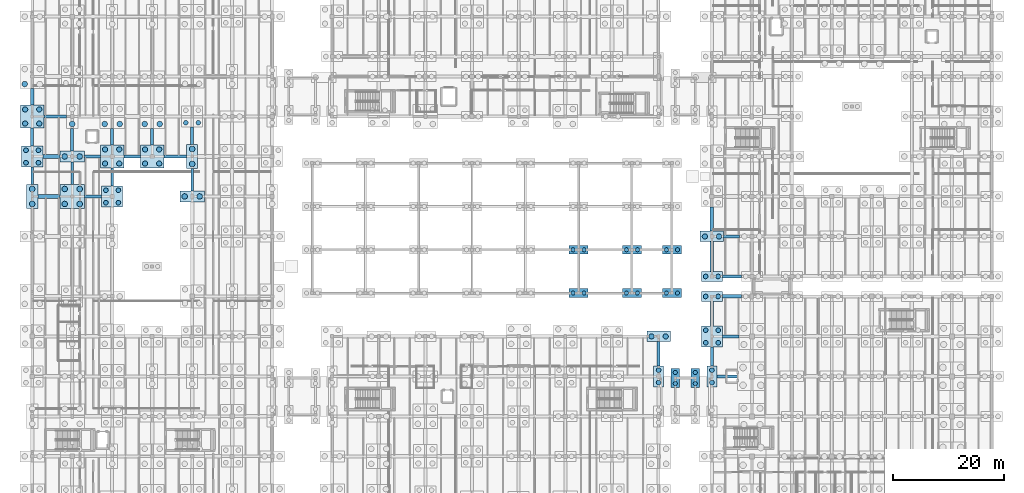
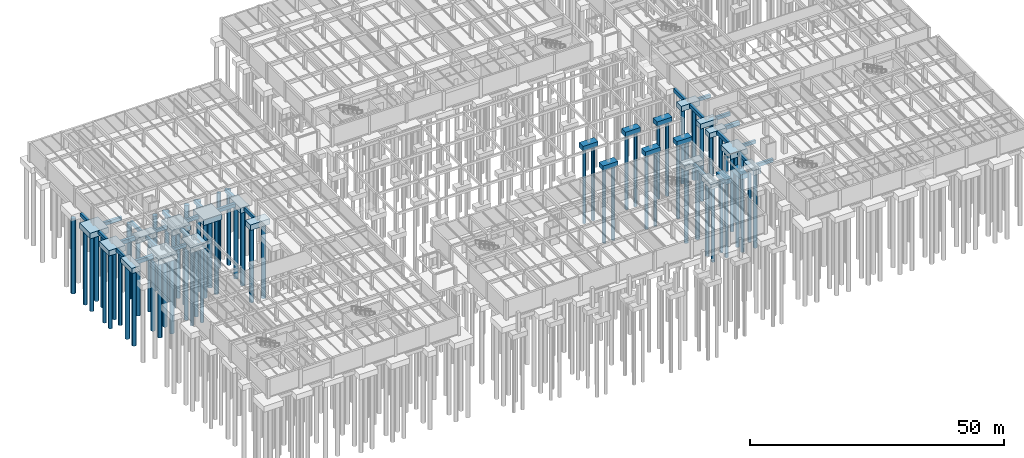
# One storey, part 6 of 63: 72 piles, 52 footings.
"""IFC4 building model written with IfcOpenShell, lengths in metres."""

from ifc_helpers import new_model, si_unit, direction, frame, origin, origin_2d, place, context, subcontext, project, spatial, rectangle, circle, extrude, material, material_profile, profile_set, type_object, element, save


model = new_model("IFC4")

# Units and contexts
model_context = context("Model", 3, precision=1e-05, world=origin(), true_north=direction((0.0, 1.0)))
body_context = subcontext(model_context, "Body", "Model", "MODEL_VIEW")
ifc_project = project(units=[si_unit("LENGTHUNIT", "METRE"), si_unit("AREAUNIT", "SQUARE_METRE"), si_unit("VOLUMEUNIT", "CUBIC_METRE"), si_unit("PLANEANGLEUNIT", "RADIAN"), si_unit("MASSUNIT", "GRAM", prefix="KILO")], contexts=[model_context])

# Site, building, storey
site_placement = place(None, origin())
site = spatial("IfcSite", under=ifc_project, at=site_placement, CompositionType="ELEMENT")
building_placement = place(site_placement, origin())
building = spatial("IfcBuilding", under=site, at=building_placement, Name="Mazaris Harbour Polytechnic", CompositionType="ELEMENT")
storey_placement = place(building_placement, frame((0.0, 0.0, -4.5)))
storey = spatial("IfcBuildingStorey", under=building, at=storey_placement, Name="B1", CompositionType="ELEMENT", Elevation=-4.5)

# Piles
ifc_material_1 = material(Name="Concrete C35/45", Category="concrete")
ifc_material_profile_1 = material_profile(ifc_material_1, circle(Radius=0.5, at=origin_2d()), Name="DIA1000")
ifc_profile_set_1 = profile_set([ifc_material_profile_1], Name="Concrete C35/45")
pile_type_1 = type_object("IfcPileType", Name="Bored Pile 1000", PredefinedType="BORED", material=ifc_profile_set_1)
for number, where, z_axis, x_axis, name in (
    (1, (0.0, 59.85009765625, -1.6201171875), (0.0, 0.0, -1.0), (1.0, 0.0, 0.0), "Bored Pile BP-159-1"),
    (2, (0.0, 62.550048828125, -1.6201171875), (0.0, 0.0, -1.0), (1.0, 0.0, 0.0), "Bored Pile BP-159-2"),
    (3, (-1.35009765625, 81.449951171875, -1.719970703125), (0.0, 0.0, -1.0), (1.0, 0.0, 0.0), "Bored Pile BP-162-1"),
    (4, (5.85009765625, 59.85009765625, -1.719970703125), (0.0, 0.0, -1.0), (1.0, 0.0, 0.0), "Bored Pile BP-172-1"),
    (5, (8.550048828125, 59.85009765625, -1.719970703125), (0.0, 0.0, -1.0), (1.0, 0.0, 0.0), "Bored Pile BP-172-2"),
    (6, (5.85009765625, 62.550048828125, -1.719970703125), (0.0, 0.0, -1.0), (1.0, 0.0, 0.0), "Bored Pile BP-172-3"),
    (7, (8.550048828125, 62.550048828125, -1.719970703125), (0.0, 0.0, -1.0), (1.0, 0.0, 0.0), "Bored Pile BP-172-4"),
    (8, (5.85009765625, 68.39990234375, -1.6201171875), (0.0, 0.0, -1.0), (1.0, 0.0, 0.0), "Bored Pile BP-173-1"),
    (9, (8.550048828125, 68.39990234375, -1.6201171875), (0.0, 0.0, -1.0), (1.0, 0.0, 0.0), "Bored Pile BP-173-2"),
    (10, (7.199951171875, 74.25, -1.6201171875), (0.0, 0.0, -1.0), (1.0, 0.0, 0.0), "Bored Pile BP-174-1"),
    (11, (13.050048828125, 74.25, -1.719970703125), (0.0, 0.0, -1.0), (1.0, 0.0, 0.0), "Bored Pile BP-187-1"),
    (12, (15.75, 74.25, -1.719970703125), (0.0, 0.0, -1.0), (1.0, 0.0, 0.0), "Bored Pile BP-187-2"),
    (13, (20.25, 74.25, -1.719970703125), (0.0, 0.0, -1.0), (1.0, 0.0, 0.0), "Bored Pile BP-197-1"),
    (14, (22.949951171875, 74.25, -1.719970703125), (0.0, 0.0, -1.0), (1.0, 0.0, 0.0), "Bored Pile BP-197-2"),
    (15, (27.449951171875, 61.199951171875, -1.6201171875), (0.0, 0.0, -1.0), (1.0, 0.0, 0.0), "Bored Pile BP-208-1"),
    (16, (30.14990234375, 61.199951171875, -1.6201171875), (0.0, 0.0, -1.0), (1.0, 0.0, 0.0), "Bored Pile BP-208-2"),
    (17, (28.800048828125, 67.050048828125, -1.6201171875), (0.0, 0.0, -1.0), (1.0, 0.0, 0.0), "Bored Pile BP-209-1"),
    (18, (28.800048828125, 69.75, -1.6201171875), (0.0, 0.0, -1.0), (1.0, 0.0, 0.0), "Bored Pile BP-209-2"),
):
    element("IfcPile", number, at=place(storey_placement, frame(where, z_axis=z_axis, x_axis=x_axis)), inside=storey, type_object=pile_type_1, Name=name, PredefinedType="BORED", context=body_context, shape_type="SweptSolid", body=[
        extrude(circle(Radius=0.5, at=origin_2d()), origin(), (0.0, 0.0, 1.0), 18.0),
    ])
ifc_material_2 = material(Name="Concrete C35/45", Category="concrete")
ifc_material_profile_2 = material_profile(ifc_material_2, circle(Radius=0.375, at=origin_2d()), Name="DIA750")
ifc_profile_set_2 = profile_set([ifc_material_profile_2], Name="Concrete C35/45")
pile_type_2 = type_object("IfcPileType", Name="Bored Pile 750", PredefinedType="BORED", material=ifc_profile_set_2)
for number, where, z_axis, x_axis, name in (
    (19, (115.800048828125, 27.506103515625, -1.429931640625), (0.0, 0.0, -1.0), (1.0, 0.0, 0.0), "Bored Pile BP-322-1"),
    (20, (115.800048828125, 29.493896484375, -1.429931640625), (0.0, 0.0, -1.0), (1.0, 0.0, 0.0), "Bored Pile BP-322-2"),
    (21, (119.39990234375, 27.506103515625, -1.429931640625), (0.0, 0.0, -1.0), (1.0, 0.0, 0.0), "Bored Pile BP-324-1"),
    (22, (119.39990234375, 29.493896484375, -1.429931640625), (0.0, 0.0, -1.0), (1.0, 0.0, 0.0), "Bored Pile BP-324-2"),
    (23, (97.40625, 43.800048828125, -1.429931640625), (0.0, 0.0, -1.0), (1.0, 0.0, 0.0), "Bored Pile BP-360-1"),
    (24, (99.393798828125, 43.800048828125, -1.429931640625), (0.0, 0.0, -1.0), (1.0, 0.0, 0.0), "Bored Pile BP-360-2"),
    (25, (97.40625, 51.60009765625, -1.429931640625), (0.0, 0.0, -1.0), (1.0, 0.0, 0.0), "Bored Pile BP-361-1"),
    (26, (99.393798828125, 51.60009765625, -1.429931640625), (0.0, 0.0, -1.0), (1.0, 0.0, 0.0), "Bored Pile BP-361-2"),
    (27, (107.006103515625, 43.800048828125, -1.429931640625), (0.0, 0.0, -1.0), (1.0, 0.0, 0.0), "Bored Pile BP-364-1"),
    (28, (108.993896484375, 43.800048828125, -1.429931640625), (0.0, 0.0, -1.0), (1.0, 0.0, 0.0), "Bored Pile BP-364-2"),
    (29, (107.006103515625, 51.60009765625, -1.429931640625), (0.0, 0.0, -1.0), (1.0, 0.0, 0.0), "Bored Pile BP-365-1"),
    (30, (108.993896484375, 51.60009765625, -1.429931640625), (0.0, 0.0, -1.0), (1.0, 0.0, 0.0), "Bored Pile BP-365-2"),
    (31, (114.206298828125, 43.800048828125, -1.429931640625), (0.0, 0.0, -1.0), (1.0, 0.0, 0.0), "Bored Pile BP-368-1"),
    (32, (116.19384765625, 43.800048828125, -1.429931640625), (0.0, 0.0, -1.0), (1.0, 0.0, 0.0), "Bored Pile BP-368-2"),
    (33, (114.206298828125, 51.60009765625, -1.429931640625), (0.0, 0.0, -1.0), (1.0, 0.0, 0.0), "Bored Pile BP-369-1"),
    (34, (116.19384765625, 51.60009765625, -1.429931640625), (0.0, 0.0, -1.0), (1.0, 0.0, 0.0), "Bored Pile BP-369-2"),
):
    element("IfcPile", number, at=place(storey_placement, frame(where, z_axis=z_axis, x_axis=x_axis)), inside=storey, type_object=pile_type_2, Name=name, PredefinedType="BORED", context=body_context, shape_type="SweptSolid", body=[
        extrude(circle(Radius=0.375, at=origin_2d()), origin(), (0.0, 0.0, 1.0), 18.0),
    ])
ifc_material_3 = material(Name="Concrete C35/45", Category="concrete")
ifc_material_profile_3 = material_profile(ifc_material_3, circle(Radius=0.425048828125, at=origin_2d()), Name="DIA850")
ifc_profile_set_3 = profile_set([ifc_material_profile_3], Name="Concrete C35/45")
pile_type_3 = type_object("IfcPileType", Name="Bored Pile 850", PredefinedType="BORED", material=ifc_profile_set_3)
for number, where, z_axis, x_axis, name in (
    (35, (122.39990234375, 27.673828125, -1.52001953125), (0.0, 0.0, -1.0), (1.0, 0.0, 0.0), "Bored Pile BP-067-1"),
    (36, (122.39990234375, 29.92626953125, -1.52001953125), (0.0, 0.0, -1.0), (1.0, 0.0, 0.0), "Bored Pile BP-067-2"),
    (37, (121.273681640625, 34.873779296875, -1.6201171875), (0.0, 0.0, -1.0), (1.0, 0.0, 0.0), "Bored Pile BP-068-1"),
    (38, (123.526123046875, 34.873779296875, -1.6201171875), (0.0, 0.0, -1.0), (1.0, 0.0, 0.0), "Bored Pile BP-068-2"),
    (39, (121.273681640625, 37.126220703125, -1.6201171875), (0.0, 0.0, -1.0), (1.0, 0.0, 0.0), "Bored Pile BP-068-3"),
    (40, (123.526123046875, 37.126220703125, -1.6201171875), (0.0, 0.0, -1.0), (1.0, 0.0, 0.0), "Bored Pile BP-068-4"),
    (41, (121.273681640625, 43.199951171875, -1.52001953125), (0.0, 0.0, -1.0), (1.0, 0.0, 0.0), "Bored Pile BP-069-1"),
    (42, (123.526123046875, 43.199951171875, -1.52001953125), (0.0, 0.0, -1.0), (1.0, 0.0, 0.0), "Bored Pile BP-069-2"),
    (43, (112.800048828125, 27.673828125, -1.52001953125), (0.0, 0.0, -1.0), (1.0, 0.0, 0.0), "Bored Pile BP-150-1"),
    (44, (112.800048828125, 29.92626953125, -1.52001953125), (0.0, 0.0, -1.0), (1.0, 0.0, 0.0), "Bored Pile BP-150-2"),
    (45, (-1.126220703125, 67.273681640625, -1.6201171875), (0.0, 0.0, -1.0), (1.0, 0.0, 0.0), "Bored Pile BP-160-1"),
    (46, (1.126220703125, 67.273681640625, -1.6201171875), (0.0, 0.0, -1.0), (1.0, 0.0, 0.0), "Bored Pile BP-160-2"),
    (47, (-1.126220703125, 69.526123046875, -1.6201171875), (0.0, 0.0, -1.0), (1.0, 0.0, 0.0), "Bored Pile BP-160-3"),
    (48, (1.126220703125, 69.526123046875, -1.6201171875), (0.0, 0.0, -1.0), (1.0, 0.0, 0.0), "Bored Pile BP-160-4"),
    (49, (13.273681640625, 60.07373046875, -1.6201171875), (0.0, 0.0, -1.0), (1.0, 0.0, 0.0), "Bored Pile BP-185-1"),
    (50, (15.526123046875, 60.07373046875, -1.6201171875), (0.0, 0.0, -1.0), (1.0, 0.0, 0.0), "Bored Pile BP-185-2"),
    (51, (13.273681640625, 62.326171875, -1.6201171875), (0.0, 0.0, -1.0), (1.0, 0.0, 0.0), "Bored Pile BP-185-3"),
    (52, (15.526123046875, 62.326171875, -1.6201171875), (0.0, 0.0, -1.0), (1.0, 0.0, 0.0), "Bored Pile BP-185-4"),
    (53, (27.673828125, 74.473876953125, -1.6201171875), (0.0, 0.0, -1.0), (1.0, 0.0, 0.0), "Bored Pile BP-210-1"),
    (54, (29.92626953125, 74.473876953125, -1.6201171875), (0.0, 0.0, -1.0), (1.0, 0.0, 0.0), "Bored Pile BP-210-2"),
    (55, (121.273681640625, 46.800048828125, -1.52001953125), (0.0, 0.0, -1.0), (1.0, 0.0, 0.0), "Bored Pile BP-240-1"),
    (56, (123.526123046875, 46.800048828125, -1.52001953125), (0.0, 0.0, -1.0), (1.0, 0.0, 0.0), "Bored Pile BP-240-2"),
):
    element("IfcPile", number, at=place(storey_placement, frame(where, z_axis=z_axis, x_axis=x_axis)), inside=storey, type_object=pile_type_3, Name=name, PredefinedType="BORED", context=body_context, shape_type="SweptSolid", body=[
        extrude(circle(Radius=0.425048828125, at=origin_2d()), origin(), (0.0, 0.0, 1.0), 18.0),
    ])
ifc_material_4 = material(Name="Concrete C35/45", Category="concrete")
ifc_material_profile_4 = material_profile(ifc_material_4, circle(Radius=0.47509765625, at=origin_2d()), Name="DIA950")
ifc_profile_set_4 = profile_set([ifc_material_profile_4], Name="Concrete C35/45")
pile_type_4 = type_object("IfcPileType", Name="Bored Pile 950", PredefinedType="BORED", material=ifc_profile_set_4)
for number, where, z_axis, x_axis, name in (
    (57, (111.52490234375, 36.0, -1.570068359375), (0.0, 0.0, -1.0), (1.0, 0.0, 0.0), "Bored Pile BP-151-1"),
    (58, (114.074951171875, 36.0, -1.570068359375), (0.0, 0.0, -1.0), (1.0, 0.0, 0.0), "Bored Pile BP-151-2"),
    (59, (-1.27490234375, 74.324951171875, -1.669921875), (0.0, 0.0, -1.0), (1.0, 0.0, 0.0), "Bored Pile BP-161-1"),
    (60, (1.27490234375, 74.324951171875, -1.669921875), (0.0, 0.0, -1.0), (1.0, 0.0, 0.0), "Bored Pile BP-161-2"),
    (61, (-1.27490234375, 76.875, -1.669921875), (0.0, 0.0, -1.0), (1.0, 0.0, 0.0), "Bored Pile BP-161-3"),
    (62, (1.27490234375, 76.875, -1.669921875), (0.0, 0.0, -1.0), (1.0, 0.0, 0.0), "Bored Pile BP-161-4"),
    (63, (13.125, 67.125, -1.669921875), (0.0, 0.0, -1.0), (1.0, 0.0, 0.0), "Bored Pile BP-186-1"),
    (64, (15.675048828125, 67.125, -1.669921875), (0.0, 0.0, -1.0), (1.0, 0.0, 0.0), "Bored Pile BP-186-2"),
    (65, (13.125, 69.675048828125, -1.669921875), (0.0, 0.0, -1.0), (1.0, 0.0, 0.0), "Bored Pile BP-186-3"),
    (66, (15.675048828125, 69.675048828125, -1.669921875), (0.0, 0.0, -1.0), (1.0, 0.0, 0.0), "Bored Pile BP-186-4"),
    (67, (20.324951171875, 67.125, -1.669921875), (0.0, 0.0, -1.0), (1.0, 0.0, 0.0), "Bored Pile BP-196-1"),
    (68, (22.875, 67.125, -1.669921875), (0.0, 0.0, -1.0), (1.0, 0.0, 0.0), "Bored Pile BP-196-2"),
    (69, (20.324951171875, 69.675048828125, -1.669921875), (0.0, 0.0, -1.0), (1.0, 0.0, 0.0), "Bored Pile BP-196-3"),
    (70, (22.875, 69.675048828125, -1.669921875), (0.0, 0.0, -1.0), (1.0, 0.0, 0.0), "Bored Pile BP-196-4"),
    (71, (121.125, 54.0, -1.570068359375), (0.0, 0.0, -1.0), (1.0, 0.0, 0.0), "Bored Pile BP-241-1"),
    (72, (123.675048828125, 54.0, -1.570068359375), (0.0, 0.0, -1.0), (1.0, 0.0, 0.0), "Bored Pile BP-241-2"),
):
    element("IfcPile", number, at=place(storey_placement, frame(where, z_axis=z_axis, x_axis=x_axis)), inside=storey, type_object=pile_type_4, Name=name, PredefinedType="BORED", context=body_context, shape_type="SweptSolid", body=[
        extrude(circle(Radius=0.47509765625, at=origin_2d()), origin(), (0.0, 0.0, 1.0), 18.0),
    ])

# Footings
ifc_material_5 = material(Name="Concrete C35/45", Category="concrete")
footing_type_1 = type_object("IfcFootingType", Name="Pile Cap 1600x3400x1150", PredefinedType="PILE_CAP", material=ifc_material_5)
for number, where, z_axis, x_axis, name in (
    (73, (115.800048828125, 28.5, -1.530029296875), (0.0, 0.0, 1.0), (1.0, 0.0, 0.0), "Pile Cap CAP-322"),
    (74, (119.39990234375, 28.5, -1.530029296875), (0.0, 0.0, 1.0), (1.0, 0.0, 0.0), "Pile Cap CAP-324"),
):
    element("IfcFooting", number, at=place(storey_placement, frame(where, z_axis=z_axis, x_axis=x_axis)), inside=storey, type_object=footing_type_1, Name=name, PredefinedType="PILE_CAP", context=body_context, shape_type="SweptSolid", body=[
        extrude(rectangle(XDim=1.60009765625, YDim=3.39990234375, at=origin_2d()), origin(), (0.0, 0.0, 1.0), 1.14990234375),
    ])
ifc_material_6 = material(Name="Concrete C35/45", Category="concrete")
footing_type_2 = type_object("IfcFootingType", Name="Pile Cap 1800x3800x1200", PredefinedType="PILE_CAP", material=ifc_material_6)
for number, where, z_axis, x_axis, name in (
    (75, (122.39990234375, 28.800048828125, -1.6201171875), (0.0, 0.0, 1.0), (1.0, 0.0, 0.0), "Pile Cap CAP-067"),
    (76, (112.800048828125, 28.800048828125, -1.6201171875), (0.0, 0.0, 1.0), (1.0, 0.0, 0.0), "Pile Cap CAP-150"),
):
    element("IfcFooting", number, at=place(storey_placement, frame(where, z_axis=z_axis, x_axis=x_axis)), inside=storey, type_object=footing_type_2, Name=name, PredefinedType="PILE_CAP", context=body_context, shape_type="SweptSolid", body=[
        extrude(rectangle(XDim=1.800048828125, YDim=3.800048828125, at=origin_2d()), origin(), (0.0, 0.0, 1.0), 1.199951171875),
    ])
ifc_material_7 = material(Name="Concrete C35/45", Category="concrete")
footing_type_3 = type_object("IfcFootingType", Name="Pile Cap 2000x4400x1300", PredefinedType="PILE_CAP", material=ifc_material_7)
for number, where, z_axis, x_axis, name in (
    (77, (0.0, 61.199951171875, -1.72021484375), (0.0, 0.0, 1.0), (1.0, 0.0, 0.0), "Pile Cap CAP-159"),
    (78, (28.800048828125, 68.39990234375, -1.72021484375), (0.0, 0.0, 1.0), (1.0, 0.0, 0.0), "Pile Cap CAP-209"),
):
    element("IfcFooting", number, at=place(storey_placement, frame(where, z_axis=z_axis, x_axis=x_axis)), inside=storey, type_object=footing_type_3, Name=name, PredefinedType="PILE_CAP", context=body_context, shape_type="SweptSolid", body=[
        extrude(rectangle(XDim=2.0, YDim=4.39990234375, at=origin_2d()), origin(), (0.0, 0.0, 1.0), 1.300048828125),
    ])
ifc_material_8 = material(Name="Concrete C35/45", Category="concrete")
footing_type_4 = type_object("IfcFootingType", Name="Pile Cap 3400x1600x1150", PredefinedType="PILE_CAP", material=ifc_material_8)
for number, where, z_axis, x_axis, name in (
    (79, (98.39990234375, 43.800048828125, -1.530029296875), (0.0, 0.0, 1.0), (1.0, 0.0, 0.0), "Pile Cap CAP-360"),
    (80, (98.39990234375, 51.60009765625, -1.530029296875), (0.0, 0.0, 1.0), (1.0, 0.0, 0.0), "Pile Cap CAP-361"),
    (81, (108.0, 43.800048828125, -1.530029296875), (0.0, 0.0, 1.0), (1.0, 0.0, 0.0), "Pile Cap CAP-364"),
    (82, (108.0, 51.60009765625, -1.530029296875), (0.0, 0.0, 1.0), (1.0, 0.0, 0.0), "Pile Cap CAP-365"),
    (83, (115.199951171875, 43.800048828125, -1.530029296875), (0.0, 0.0, 1.0), (1.0, 0.0, 0.0), "Pile Cap CAP-368"),
    (84, (115.199951171875, 51.60009765625, -1.530029296875), (0.0, 0.0, 1.0), (1.0, 0.0, 0.0), "Pile Cap CAP-369"),
):
    element("IfcFooting", number, at=place(storey_placement, frame(where, z_axis=z_axis, x_axis=x_axis)), inside=storey, type_object=footing_type_4, Name=name, PredefinedType="PILE_CAP", context=body_context, shape_type="SweptSolid", body=[
        extrude(rectangle(XDim=3.39990234375, YDim=1.60009765625, at=origin_2d()), origin(), (0.0, 0.0, 1.0), 1.14990234375),
    ])
ifc_material_9 = material(Name="Concrete C35/45", Category="concrete")
footing_type_5 = type_object("IfcFootingType", Name="Pile Cap 3800x1800x1200", PredefinedType="PILE_CAP", material=ifc_material_9)
for number, where, z_axis, x_axis, name in (
    (85, (122.39990234375, 43.199951171875, -1.6201171875), (0.0, 0.0, 1.0), (1.0, 0.0, 0.0), "Pile Cap CAP-069"),
    (86, (122.39990234375, 46.800048828125, -1.6201171875), (0.0, 0.0, 1.0), (1.0, 0.0, 0.0), "Pile Cap CAP-240"),
):
    element("IfcFooting", number, at=place(storey_placement, frame(where, z_axis=z_axis, x_axis=x_axis)), inside=storey, type_object=footing_type_5, Name=name, PredefinedType="PILE_CAP", context=body_context, shape_type="SweptSolid", body=[
        extrude(rectangle(XDim=3.800048828125, YDim=1.800048828125, at=origin_2d()), origin(), (0.0, 0.0, 1.0), 1.199951171875),
    ])
ifc_material_10 = material(Name="Concrete C35/45", Category="concrete")
footing_type_6 = type_object("IfcFootingType", Name="Pile Cap 3800x3800x1300", PredefinedType="PILE_CAP", material=ifc_material_10)
for number, where, z_axis, x_axis, name in (
    (87, (122.39990234375, 36.0, -1.72021484375), (0.0, 0.0, 1.0), (1.0, 0.0, 0.0), "Pile Cap CAP-068"),
    (88, (0.0, 68.39990234375, -1.72021484375), (0.0, 0.0, 1.0), (1.0, 0.0, 0.0), "Pile Cap CAP-160"),
    (89, (14.39990234375, 61.199951171875, -1.72021484375), (0.0, 0.0, 1.0), (1.0, 0.0, 0.0), "Pile Cap CAP-185"),
):
    element("IfcFooting", number, at=place(storey_placement, frame(where, z_axis=z_axis, x_axis=x_axis)), inside=storey, type_object=footing_type_6, Name=name, PredefinedType="PILE_CAP", context=body_context, shape_type="SweptSolid", body=[
        extrude(rectangle(XDim=3.800048828125, YDim=3.800048828125, at=origin_2d()), origin(), (0.0, 0.0, 1.0), 1.300048828125),
    ])
ifc_material_11 = material(Name="Concrete C35/45", Category="concrete")
footing_type_7 = type_object("IfcFootingType", Name="Pile Cap 4200x1900x1250", PredefinedType="PILE_CAP", material=ifc_material_11)
for number, where, z_axis, x_axis, name in (
    (90, (112.800048828125, 36.0, -1.669921875), (0.0, 0.0, 1.0), (1.0, 0.0, 0.0), "Pile Cap CAP-151"),
    (91, (122.39990234375, 54.0, -1.669921875), (0.0, 0.0, 1.0), (1.0, 0.0, 0.0), "Pile Cap CAP-241"),
):
    element("IfcFooting", number, at=place(storey_placement, frame(where, z_axis=z_axis, x_axis=x_axis)), inside=storey, type_object=footing_type_7, Name=name, PredefinedType="PILE_CAP", context=body_context, shape_type="SweptSolid", body=[
        extrude(rectangle(XDim=4.199951171875, YDim=1.89990234375, at=origin_2d()), origin(), (0.0, 0.0, 1.0), 1.25),
    ])
ifc_material_12 = material(Name="Concrete C35/45", Category="concrete")
footing_type_8 = type_object("IfcFootingType", Name="Pile Cap 4200x4200x1350", PredefinedType="PILE_CAP", material=ifc_material_12)
for number, where, z_axis, x_axis, name in (
    (92, (0.0, 75.60009765625, -1.77001953125), (0.0, 0.0, 1.0), (1.0, 0.0, 0.0), "Pile Cap CAP-161"),
    (93, (14.39990234375, 68.39990234375, -1.77001953125), (0.0, 0.0, 1.0), (1.0, 0.0, 0.0), "Pile Cap CAP-186"),
    (94, (21.60009765625, 68.39990234375, -1.77001953125), (0.0, 0.0, 1.0), (1.0, 0.0, 0.0), "Pile Cap CAP-196"),
):
    element("IfcFooting", number, at=place(storey_placement, frame(where, z_axis=z_axis, x_axis=x_axis)), inside=storey, type_object=footing_type_8, Name=name, PredefinedType="PILE_CAP", context=body_context, shape_type="SweptSolid", body=[
        extrude(rectangle(XDim=4.199951171875, YDim=4.199951171875, at=origin_2d()), origin(), (0.0, 0.0, 1.0), 1.35009765625),
    ])
ifc_material_13 = material(Name="Concrete C35/45", Category="concrete")
footing_type_9 = type_object("IfcFootingType", Name="Pile Cap 4400x2000x1300", PredefinedType="PILE_CAP", material=ifc_material_13)
for number, where, z_axis, x_axis, name in (
    (95, (7.199951171875, 68.39990234375, -1.72021484375), (0.0, 0.0, 1.0), (1.0, 0.0, 0.0), "Pile Cap CAP-173"),
    (96, (28.800048828125, 61.199951171875, -1.72021484375), (0.0, 0.0, 1.0), (1.0, 0.0, 0.0), "Pile Cap CAP-208"),
):
    element("IfcFooting", number, at=place(storey_placement, frame(where, z_axis=z_axis, x_axis=x_axis)), inside=storey, type_object=footing_type_9, Name=name, PredefinedType="PILE_CAP", context=body_context, shape_type="SweptSolid", body=[
        extrude(rectangle(XDim=4.39990234375, YDim=2.0, at=origin_2d()), origin(), (0.0, 0.0, 1.0), 1.300048828125),
    ])
ifc_material_14 = material(Name="Concrete C35/45", Category="concrete")
footing_type_10 = type_object("IfcFootingType", Name="Pile Cap 4400x4400x1400", PredefinedType="PILE_CAP", material=ifc_material_14)
footing_1_placement = place(storey_placement, frame((7.199951171875, 61.199951171875, -1.820068359375), z_axis=(0.0, 0.0, 1.0), x_axis=(1.0, 0.0, 0.0)))
element("IfcFooting", 97, at=footing_1_placement, inside=storey, type_object=footing_type_10, Name="Pile Cap CAP-172", PredefinedType="PILE_CAP", context=body_context, shape_type="SweptSolid", body=[
    extrude(rectangle(XDim=4.39990234375, YDim=4.39990234375, at=origin_2d()), origin(), (0.0, 0.0, 1.0), 1.39990234375),
])
ifc_material_15 = material(Name="Concrete C35/45", Category="concrete")
ifc_material_profile_5 = material_profile(ifc_material_15, rectangle(XDim=0.5, YDim=0.75, at=origin_2d()), Name="RECT500x750")
ifc_profile_set_5 = profile_set([ifc_material_profile_5], Name="Concrete C35/45")
footing_type_11 = type_object("IfcFootingType", Name="Seismic Tie Beam 500x750", PredefinedType="FOOTING_BEAM", material=ifc_profile_set_5)
footing_2_placement = place(storey_placement, frame((124.300048828125, 36.0, -0.8349609375), z_axis=(1.0, 0.0, 0.0), x_axis=(0.0, 1.0, 0.0)))
element("IfcFooting", 98, at=footing_2_placement, inside=storey, type_object=footing_type_11, Name="Seismic Tie Beam FTB-132", PredefinedType="FOOTING_BEAM", context=body_context, shape_type="SweptSolid", body=[
    extrude(rectangle(XDim=0.5, YDim=0.75, at=origin_2d()), origin(), (0.0, 0.0, 1.0), 2.949951171875),
])
footing_3_placement = place(storey_placement, frame((112.800048828125, 30.699951171875, -0.8349609375), z_axis=(0.0, 1.0, 0.0), x_axis=(-1.0, 0.0, 0.0)))
element("IfcFooting", 99, at=footing_3_placement, inside=storey, type_object=footing_type_11, Name="Seismic Tie Beam FTB-252", PredefinedType="FOOTING_BEAM", context=body_context, shape_type="SweptSolid", body=[
    extrude(rectangle(XDim=0.5, YDim=0.75, at=origin_2d()), origin(), (0.0, 0.0, 1.0), 4.35009765625),
])
footing_4_placement = place(storey_placement, frame((9.39990234375, 61.199951171875, -0.8349609375), z_axis=(1.0, 0.0, 0.0), x_axis=(0.0, 1.0, 0.0)))
element("IfcFooting", 100, at=footing_4_placement, inside=storey, type_object=footing_type_11, Name="Seismic Tie Beam FTB-292", PredefinedType="FOOTING_BEAM", context=body_context, shape_type="SweptSolid", body=[
    extrude(rectangle(XDim=0.5, YDim=0.75, at=origin_2d()), origin(), (0.0, 0.0, 1.0), 3.10009765625),
])
footing_5_placement = place(storey_placement, frame((9.39990234375, 68.39990234375, -0.8349609375), z_axis=(1.0, 0.0, 0.0), x_axis=(0.0, 1.0, 0.0)))
element("IfcFooting", 101, at=footing_5_placement, inside=storey, type_object=footing_type_11, Name="Seismic Tie Beam FTB-296", PredefinedType="FOOTING_BEAM", context=body_context, shape_type="SweptSolid", body=[
    extrude(rectangle(XDim=0.5, YDim=0.75, at=origin_2d()), origin(), (0.0, 0.0, 1.0), 2.900146484375),
])
footing_6_placement = place(storey_placement, frame((0.0, 63.39990234375, -0.8349609375), z_axis=(0.0, 1.0, 0.0), x_axis=(-1.0, 0.0, 0.0)))
element("IfcFooting", 102, at=footing_6_placement, inside=storey, type_object=footing_type_11, Name="Seismic Tie Beam FTB-332", PredefinedType="FOOTING_BEAM", context=body_context, shape_type="SweptSolid", body=[
    extrude(rectangle(XDim=0.5, YDim=0.75, at=origin_2d()), origin(), (0.0, 0.0, 1.0), 3.10009765625),
])
footing_7_placement = place(storey_placement, frame((7.199951171875, 63.39990234375, -0.8349609375), z_axis=(0.0, 1.0, 0.0), x_axis=(-1.0, 0.0, 0.0)))
element("IfcFooting", 103, at=footing_7_placement, inside=storey, type_object=footing_type_11, Name="Seismic Tie Beam FTB-344", PredefinedType="FOOTING_BEAM", context=body_context, shape_type="SweptSolid", body=[
    extrude(rectangle(XDim=0.5, YDim=0.75, at=origin_2d()), origin(), (0.0, 0.0, 1.0), 4.0),
])
footing_8_placement = place(storey_placement, frame((14.39990234375, 63.10009765625, -0.8349609375), z_axis=(0.0, 1.0, 0.0), x_axis=(-1.0, 0.0, 0.0)))
element("IfcFooting", 104, at=footing_8_placement, inside=storey, type_object=footing_type_11, Name="Seismic Tie Beam FTB-356", PredefinedType="FOOTING_BEAM", context=body_context, shape_type="SweptSolid", body=[
    extrude(rectangle(XDim=0.5, YDim=0.75, at=origin_2d()), origin(), (0.0, 0.0, 1.0), 3.199951171875),
])
footing_9_placement = place(storey_placement, frame((28.800048828125, 62.199951171875, -0.8349609375), z_axis=(0.0, 1.0, 0.0), x_axis=(-1.0, 0.0, 0.0)))
element("IfcFooting", 105, at=footing_9_placement, inside=storey, type_object=footing_type_11, Name="Seismic Tie Beam FTB-376", PredefinedType="FOOTING_BEAM", context=body_context, shape_type="SweptSolid", body=[
    extrude(rectangle(XDim=0.5, YDim=0.75, at=origin_2d()), origin(), (0.0, 0.0, 1.0), 4.0),
])
footing_10_placement = place(storey_placement, frame((124.5, 54.0, -0.8349609375), z_axis=(1.0, 0.0, 0.0), x_axis=(0.0, 1.0, 0.0)))
element("IfcFooting", 106, at=footing_10_placement, inside=storey, type_object=footing_type_11, Name="Seismic Tie Beam FTB-412", PredefinedType="FOOTING_BEAM", context=body_context, shape_type="SweptSolid", body=[
    extrude(rectangle(XDim=0.5, YDim=0.75, at=origin_2d()), origin(), (0.0, 0.0, 1.0), 2.89990234375),
])
ifc_material_16 = material(Name="Concrete C35/45", Category="concrete")
ifc_material_profile_6 = material_profile(ifc_material_16, rectangle(XDim=0.550048828125, YDim=0.800048828125, at=origin_2d()), Name="RECT550x800")
ifc_profile_set_6 = profile_set([ifc_material_profile_6], Name="Concrete C35/45")
footing_type_12 = type_object("IfcFootingType", Name="Seismic Tie Beam 550x800", PredefinedType="FOOTING_BEAM", material=ifc_profile_set_6)
footing_11_placement = place(storey_placement, frame((123.300048828125, 28.800048828125, -0.860107421875), z_axis=(1.0, 0.0, 0.0), x_axis=(0.0, 1.0, 0.0)))
element("IfcFooting", 107, at=footing_11_placement, inside=storey, type_object=footing_type_12, Name="Seismic Tie Beam FTB-125", PredefinedType="FOOTING_BEAM", context=body_context, shape_type="SweptSolid", body=[
    extrude(rectangle(XDim=0.550048828125, YDim=0.800048828125, at=origin_2d()), origin(), (0.0, 0.0, 1.0), 3.75),
])
footing_12_placement = place(storey_placement, frame((122.39990234375, 30.699951171875, -0.860107421875), z_axis=(0.0, 1.0, 0.0), x_axis=(-1.0, 0.0, 0.0)))
element("IfcFooting", 108, at=footing_12_placement, inside=storey, type_object=footing_type_12, Name="Seismic Tie Beam FTB-149", PredefinedType="FOOTING_BEAM", context=body_context, shape_type="SweptSolid", body=[
    extrude(rectangle(XDim=0.550048828125, YDim=0.800048828125, at=origin_2d()), origin(), (0.0, 0.0, 1.0), 3.400146484375),
])
footing_13_placement = place(storey_placement, frame((16.5, 68.39990234375, -0.860107421875), z_axis=(1.0, 0.0, 0.0), x_axis=(0.0, 1.0, 0.0)))
element("IfcFooting", 109, at=footing_13_placement, inside=storey, type_object=footing_type_12, Name="Seismic Tie Beam FTB-297", PredefinedType="FOOTING_BEAM", context=body_context, shape_type="SweptSolid", body=[
    extrude(rectangle(XDim=0.550048828125, YDim=0.800048828125, at=origin_2d()), origin(), (0.0, 0.0, 1.0), 3.0),
])
footing_14_placement = place(storey_placement, frame((2.10009765625, 75.60009765625, -0.860107421875), z_axis=(1.0, 0.0, 0.0), x_axis=(0.0, 1.0, 0.0)))
element("IfcFooting", 110, at=footing_14_placement, inside=storey, type_object=footing_type_12, Name="Seismic Tie Beam FTB-301", PredefinedType="FOOTING_BEAM", context=body_context, shape_type="SweptSolid", body=[
    extrude(rectangle(XDim=0.550048828125, YDim=0.800048828125, at=origin_2d()), origin(), (0.0, 0.0, 1.0), 4.099853515625),
])
footing_15_placement = place(storey_placement, frame((0.0, 70.300048828125, -0.860107421875), z_axis=(0.0, 1.0, 0.0), x_axis=(-1.0, 0.0, 0.0)))
element("IfcFooting", 111, at=footing_15_placement, inside=storey, type_object=footing_type_12, Name="Seismic Tie Beam FTB-333", PredefinedType="FOOTING_BEAM", context=body_context, shape_type="SweptSolid", body=[
    extrude(rectangle(XDim=0.550048828125, YDim=0.800048828125, at=origin_2d()), origin(), (0.0, 0.0, 1.0), 3.199951171875),
])
footing_16_placement = place(storey_placement, frame((7.199951171875, 69.39990234375, -0.860107421875), z_axis=(0.0, 1.0, 0.0), x_axis=(-1.0, 0.0, 0.0)))
element("IfcFooting", 112, at=footing_16_placement, inside=storey, type_object=footing_type_12, Name="Seismic Tie Beam FTB-345", PredefinedType="FOOTING_BEAM", context=body_context, shape_type="SweptSolid", body=[
    extrude(rectangle(XDim=0.550048828125, YDim=0.800048828125, at=origin_2d()), origin(), (0.0, 0.0, 1.0), 4.0),
])
for number, where, z_axis, x_axis, name in (
    (113, (14.39990234375, 70.5, -0.860107421875), (0.0, 1.0, 0.0), (-1.0, 0.0, 0.0), "Seismic Tie Beam FTB-357"),
    (114, (21.60009765625, 70.5, -0.860107421875), (0.0, 1.0, 0.0), (-1.0, 0.0, 0.0), "Seismic Tie Beam FTB-365"),
):
    element("IfcFooting", number, at=place(storey_placement, frame(where, z_axis=z_axis, x_axis=x_axis)), inside=storey, type_object=footing_type_12, Name=name, PredefinedType="FOOTING_BEAM", context=body_context, shape_type="SweptSolid", body=[
        extrude(rectangle(XDim=0.550048828125, YDim=0.800048828125, at=origin_2d()), origin(), (0.0, 0.0, 1.0), 2.89990234375),
    ])
footing_17_placement = place(storey_placement, frame((28.800048828125, 70.60009765625, -0.860107421875), z_axis=(0.0, 1.0, 0.0), x_axis=(-1.0, 0.0, 0.0)))
element("IfcFooting", 115, at=footing_17_placement, inside=storey, type_object=footing_type_12, Name="Seismic Tie Beam FTB-377", PredefinedType="FOOTING_BEAM", context=body_context, shape_type="SweptSolid", body=[
    extrude(rectangle(XDim=0.550048828125, YDim=0.800048828125, at=origin_2d()), origin(), (0.0, 0.0, 1.0), 3.099853515625),
])
footing_18_placement = place(storey_placement, frame((124.300048828125, 46.800048828125, -0.860107421875), z_axis=(1.0, 0.0, 0.0), x_axis=(0.0, 1.0, 0.0)))
element("IfcFooting", 116, at=footing_18_placement, inside=storey, type_object=footing_type_12, Name="Seismic Tie Beam FTB-405", PredefinedType="FOOTING_BEAM", context=body_context, shape_type="SweptSolid", body=[
    extrude(rectangle(XDim=0.550048828125, YDim=0.800048828125, at=origin_2d()), origin(), (0.0, 0.0, 1.0), 3.39990234375),
])
ifc_material_17 = material(Name="Concrete C35/45", Category="concrete")
ifc_material_profile_7 = material_profile(ifc_material_17, rectangle(XDim=0.60009765625, YDim=0.85009765625, at=origin_2d()), Name="RECT600x850")
ifc_profile_set_7 = profile_set([ifc_material_profile_7], Name="Concrete C35/45")
footing_type_13 = type_object("IfcFootingType", Name="Seismic Tie Beam 600x850", PredefinedType="FOOTING_BEAM", material=ifc_profile_set_7)
footing_19_placement = place(storey_placement, frame((122.39990234375, 37.89990234375, -0.885009765625), z_axis=(0.0, 1.0, 0.0), x_axis=(-1.0, 0.0, 0.0)))
element("IfcFooting", 117, at=footing_19_placement, inside=storey, type_object=footing_type_13, Name="Seismic Tie Beam FTB-150", PredefinedType="FOOTING_BEAM", context=body_context, shape_type="SweptSolid", body=[
    extrude(rectangle(XDim=0.60009765625, YDim=0.85009765625, at=origin_2d()), origin(), (0.0, 0.0, 1.0), 4.400146484375),
])
footing_20_placement = place(storey_placement, frame((23.699951171875, 68.39990234375, -0.885009765625), z_axis=(1.0, 0.0, 0.0), x_axis=(0.0, 1.0, 0.0)))
element("IfcFooting", 118, at=footing_20_placement, inside=storey, type_object=footing_type_13, Name="Seismic Tie Beam FTB-298", PredefinedType="FOOTING_BEAM", context=body_context, shape_type="SweptSolid", body=[
    extrude(rectangle(XDim=0.60009765625, YDim=0.85009765625, at=origin_2d()), origin(), (0.0, 0.0, 1.0), 4.10009765625),
])
footing_21_placement = place(storey_placement, frame((0.0, 77.699951171875, -0.885009765625), z_axis=(0.0, 1.0, 0.0), x_axis=(-1.0, 0.0, 0.0)))
element("IfcFooting", 119, at=footing_21_placement, inside=storey, type_object=footing_type_13, Name="Seismic Tie Beam FTB-334", PredefinedType="FOOTING_BEAM", context=body_context, shape_type="SweptSolid", body=[
    extrude(rectangle(XDim=0.60009765625, YDim=0.85009765625, at=origin_2d()), origin(), (0.0, 0.0, 1.0), 2.900146484375),
])
footing_22_placement = place(storey_placement, frame((122.39990234375, 47.699951171875, -0.885009765625), z_axis=(0.0, 1.0, 0.0), x_axis=(-1.0, 0.0, 0.0)))
element("IfcFooting", 120, at=footing_22_placement, inside=storey, type_object=footing_type_13, Name="Seismic Tie Beam FTB-466", PredefinedType="FOOTING_BEAM", context=body_context, shape_type="SweptSolid", body=[
    extrude(rectangle(XDim=0.60009765625, YDim=0.85009765625, at=origin_2d()), origin(), (0.0, 0.0, 1.0), 5.35009765625),
])
ifc_material_18 = material(Name="Concrete C35/45", Category="concrete")
ifc_material_profile_8 = material_profile(ifc_material_18, rectangle(XDim=0.64990234375, YDim=0.89990234375, at=origin_2d()), Name="RECT650x900")
ifc_profile_set_8 = profile_set([ifc_material_profile_8], Name="Concrete C35/45")
footing_type_14 = type_object("IfcFootingType", Name="Seismic Tie Beam 650x900", PredefinedType="FOOTING_BEAM", material=ifc_profile_set_8)
footing_23_placement = place(storey_placement, frame((124.300048828125, 43.199951171875, -0.909912109375), z_axis=(1.0, 0.0, 0.0), x_axis=(0.0, 1.0, 0.0)))
element("IfcFooting", 121, at=footing_23_placement, inside=storey, type_object=footing_type_14, Name="Seismic Tie Beam FTB-139", PredefinedType="FOOTING_BEAM", context=body_context, shape_type="SweptSolid", body=[
    extrude(rectangle(XDim=0.64990234375, YDim=0.89990234375, at=origin_2d()), origin(), (0.0, 0.0, 1.0), 3.39990234375),
])
footing_24_placement = place(storey_placement, frame((1.0, 61.199951171875, -0.909912109375), z_axis=(1.0, 0.0, 0.0), x_axis=(0.0, 1.0, 0.0)))
element("IfcFooting", 122, at=footing_24_placement, inside=storey, type_object=footing_type_14, Name="Seismic Tie Beam FTB-291", PredefinedType="FOOTING_BEAM", context=body_context, shape_type="SweptSolid", body=[
    extrude(rectangle(XDim=0.64990234375, YDim=0.89990234375, at=origin_2d()), origin(), (0.0, 0.0, 1.0), 4.0),
])
footing_25_placement = place(storey_placement, frame((1.89990234375, 68.39990234375, -0.909912109375), z_axis=(1.0, 0.0, 0.0), x_axis=(0.0, 1.0, 0.0)))
element("IfcFooting", 123, at=footing_25_placement, inside=storey, type_object=footing_type_14, Name="Seismic Tie Beam FTB-295", PredefinedType="FOOTING_BEAM", context=body_context, shape_type="SweptSolid", body=[
    extrude(rectangle(XDim=0.64990234375, YDim=0.89990234375, at=origin_2d()), origin(), (0.0, 0.0, 1.0), 3.10009765625),
])
footing_26_placement = place(storey_placement, frame((122.39990234375, 54.949951171875, -0.909912109375), z_axis=(0.0, 1.0, 0.0), x_axis=(-1.0, 0.0, 0.0)))
element("IfcFooting", 124, at=footing_26_placement, inside=storey, type_object=footing_type_14, Name="Seismic Tie Beam FTB-467", PredefinedType="FOOTING_BEAM", context=body_context, shape_type="SweptSolid", body=[
    extrude(rectangle(XDim=0.64990234375, YDim=0.89990234375, at=origin_2d()), origin(), (0.0, 0.0, 1.0), 4.35009765625),
])

save(model, "model.ifc")
